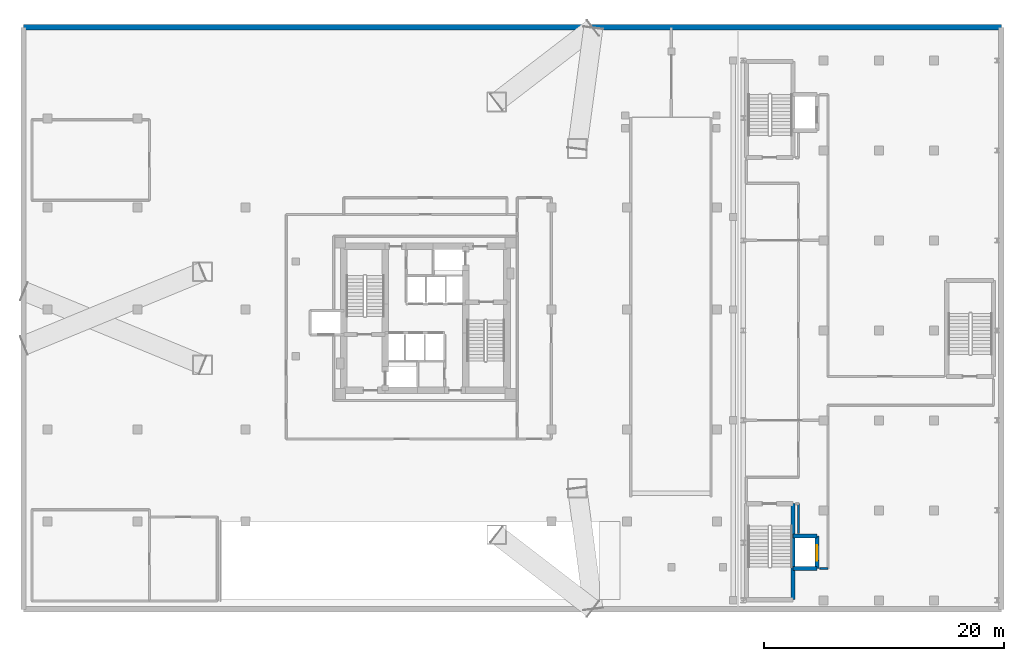
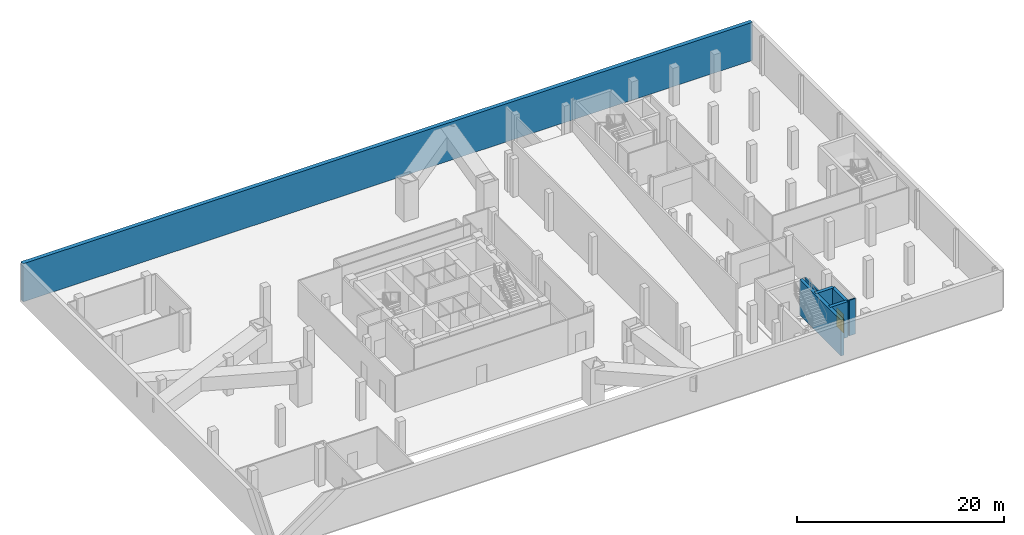
# One storey, part 9 of 14: 7 walls, 1 door, 1 opening.
"""IFC4 building model written with IfcOpenShell, lengths in metres."""

from ifc_helpers import new_model, si_unit, direction, frame, frame_2d, origin, place, context, subcontext, project, spatial, rectangle, extrude, material, layer, layer_set, type_object, element, fill, save


model = new_model("IFC4")

# Units and contexts
model_context = context("Model", 3, precision=1e-05, world=origin(), true_north=direction((0.0, 1.0)))
body_context = subcontext(model_context, "Body", "Model", "MODEL_VIEW")
ifc_project = project(units=[si_unit("LENGTHUNIT", "METRE"), si_unit("AREAUNIT", "SQUARE_METRE"), si_unit("VOLUMEUNIT", "CUBIC_METRE"), si_unit("PLANEANGLEUNIT", "RADIAN"), si_unit("MASSUNIT", "GRAM", prefix="KILO")], contexts=[model_context])

# Site, building, storey
site_placement = place(None, origin())
site = spatial("IfcSite", under=ifc_project, at=site_placement, CompositionType="ELEMENT")
building_placement = place(site_placement, origin())
building = spatial("IfcBuilding", under=site, at=building_placement, Name="Mersakhor Tower and Convention Hall", CompositionType="ELEMENT")
storey_placement = place(building_placement, frame((0.0, 0.0, -4.5)))
storey = spatial("IfcBuildingStorey", under=building, at=storey_placement, Name="B01", CompositionType="ELEMENT", Elevation=-4.5)

# Walls
ifc_material_1 = material(Name="Fire-rated gypsum board stud partition", Category="other")
ifc_layer_1 = layer(ifc_material_1, 0.14990234375)
ifc_layer_set_1 = layer_set([ifc_layer_1], Name="Fire-rated gypsum board stud partition")
wall_type_1 = type_object("IfcWallType", Name="WL-PRT-150", PredefinedType="PARTITIONING", material=ifc_layer_set_1)
wall_1_placement = place(storey_placement, frame((62.550048828125, 5.89990234375, 0.0), z_axis=(0.0, 0.0, 1.0), x_axis=(-1.0, 0.0, 0.0)))
element("IfcWall", 1, at=wall_1_placement, inside=storey, type_object=wall_type_1, Name="B01 Interior Partition Wall P-045", PredefinedType="PARTITIONING", context=body_context, shape_type="SweptSolid", body=[
    extrude(rectangle(XDim=0.675048828125, YDim=0.14990234375, at=frame_2d((0.33740234375, 0.0))), origin(), (0.0, 0.0, 1.0), 4.199951171875),
])
wall_2_placement = place(storey_placement, frame((60.10009765625, 8.824951171875, 0.0), z_axis=(0.0, 0.0, 1.0), x_axis=(0.0, 1.0, 0.0)))
element("IfcWall", 2, at=wall_2_placement, inside=storey, type_object=wall_type_1, Name="B01 Interior Partition Wall P-046", PredefinedType="PARTITIONING", context=body_context, shape_type="SweptSolid", body=[
    extrude(rectangle(XDim=2.47509765625, YDim=0.14990234375, at=frame_2d((1.237548828125, 0.0))), origin(), (0.0, 0.0, 1.0), 4.199951171875),
])
ifc_material_2 = material(Name="Concrete C45/55", Category="concrete")
ifc_layer_2 = layer(ifc_material_2, 0.449951171875)
ifc_layer_set_2 = layer_set([ifc_layer_2], Name="Concrete C45/55")
wall_type_2 = type_object("IfcWallType", Name="WL-RET-450", PredefinedType="USERDEFINED", material=ifc_layer_set_2)
wall_3_placement = place(storey_placement, frame((77.0, 51.0, 0.0), z_axis=(0.0, 0.0, 1.0), x_axis=(-1.0, 0.0, 0.0)))
element("IfcWall", 3, at=wall_3_placement, inside=storey, type_object=wall_type_2, Name="B01 Perimeter Retaining Wall N", ObjectType="RETAININGWALL", PredefinedType="USERDEFINED", context=body_context, shape_type="SweptSolid", body=[
    extrude(rectangle(XDim=81.5, YDim=0.449951171875, at=frame_2d((40.75, 0.0))), origin(), (0.0, 0.0, 1.0), 4.5),
])

# Wall, opening, door
ifc_material_3 = material(Name="Concrete C50/60", Category="concrete")
ifc_layer_3 = layer(ifc_material_3, 0.35009765625)
ifc_layer_set_3 = layer_set([ifc_layer_3], Name="Concrete C50/60")
wall_type_3 = type_object("IfcWallType", Name="WL-SHR-350", PredefinedType="SHEAR", material=ifc_layer_set_3)
wall_4_placement = place(storey_placement, frame((61.64990234375, 5.89990234375, 0.0), z_axis=(0.0, 0.0, 1.0), x_axis=(0.0, 1.0, 0.0)))
wall_4 = element("IfcWall", 4, at=wall_4_placement, inside=storey, type_object=wall_type_3, Name="B01 CVL1 Shaft Front Wall", PredefinedType="SHEAR", context=body_context, shape_type="SweptSolid", body=[
    extrude(rectangle(XDim=2.7001953125, YDim=0.35009765625, at=frame_2d((1.35009765625, 0.0))), origin(), (0.0, 0.0, 1.0), 4.199951171875),
])
opening_placement = place(wall_4_placement, frame((0.64990234375, 0.0, 0.0)))
opening = element("IfcOpeningElement", 5, at=opening_placement, cuts=wall_4, Name="Opening LD-CVL1", PredefinedType="OPENING", context=body_context, shape_type="SweptSolid", body=[
    extrude(rectangle(XDim=1.300048828125, YDim=2.199951171875, at=frame_2d((0.64990234375, 1.10009765625))), frame((0.0, 0.18505859375, 0.0), z_axis=(0.0, -1.0, 0.0), x_axis=(1.0, 0.0, 0.0)), (0.0, 0.0, 1.0), 0.3701171875),
])
ifc_material_4 = material(Name="Fire-rated brushed stainless steel sliding landing door", Category="steel")
door_type = type_object("IfcDoorType", Name="DR-LIFT-SLD-130x220", OperationType="NOTDEFINED", PredefinedType="DOOR", material=ifc_material_4)
door_placement = place(opening_placement, origin())
door = element("IfcDoor", 6, at=door_placement, inside=storey, type_object=door_type, Name="B01 Convention Lift Landing Door LD-CVL1", OperationType="SLIDING_TO_LEFT", OverallHeight=2.199951171875, OverallWidth=1.300048828125, PredefinedType="DOOR", context=body_context, shape_type="SweptSolid", body=[
    extrude(rectangle(XDim=1.300048828125, YDim=2.199951171875, at=frame_2d((0.64990234375, 1.10009765625))), frame((0.0, 0.02490234375, 0.0), z_axis=(0.0, -1.0, 0.0), x_axis=(1.0, 0.0, 0.0)), (0.0, 0.0, 1.0), 0.050048828125),
])
fill(opening, door)

# Walls
for number, where, z_axis, x_axis, name in (
    (7, (59.64990234375, 8.60009765625, 0.0), (0.0, 0.0, 1.0), (1.0, 0.0, 0.0), "B01 CVL1 Shaft North Wall"),
    (8, (59.64990234375, 5.89990234375, 0.0), (0.0, 0.0, 1.0), (1.0, 0.0, 0.0), "B01 CVL1 Shaft South Wall"),
):
    element("IfcWall", number, at=place(storey_placement, frame(where, z_axis=z_axis, x_axis=x_axis)), inside=storey, type_object=wall_type_3, Name=name, PredefinedType="SHEAR", context=body_context, shape_type="SweptSolid", body=[
        extrude(rectangle(XDim=2.0, YDim=0.35009765625, at=frame_2d((1.0, 0.0))), origin(), (0.0, 0.0, 1.0), 4.199951171875),
    ])
wall_5_placement = place(storey_placement, frame((59.64990234375, 11.300048828125, 0.0), z_axis=(0.0, 0.0, 1.0), x_axis=(0.0, -1.0, 0.0)))
element("IfcWall", 9, at=wall_5_placement, inside=storey, type_object=wall_type_3, Name="B01 CHST1 East Shear Wall", PredefinedType="SHEAR", context=body_context, shape_type="SweptSolid", body=[
    extrude(rectangle(XDim=8.0, YDim=0.35009765625, at=frame_2d((4.0, 0.0))), origin(), (0.0, 0.0, 1.0), 4.199951171875),
])

save(model, "model.ifc")
